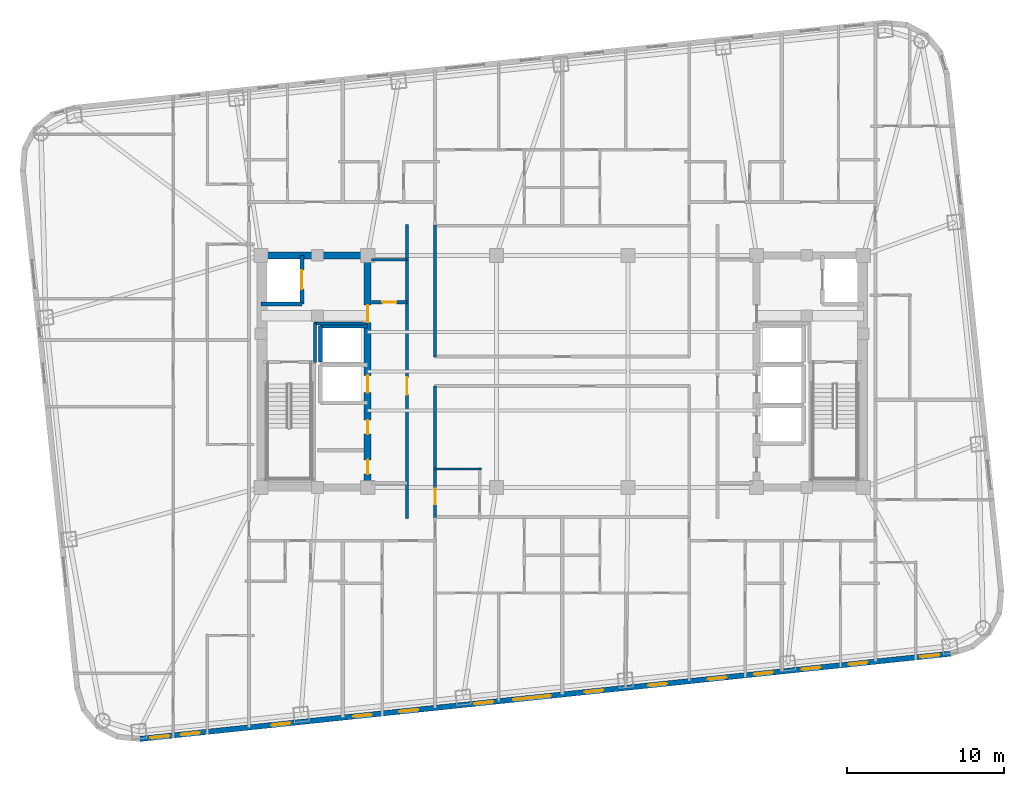
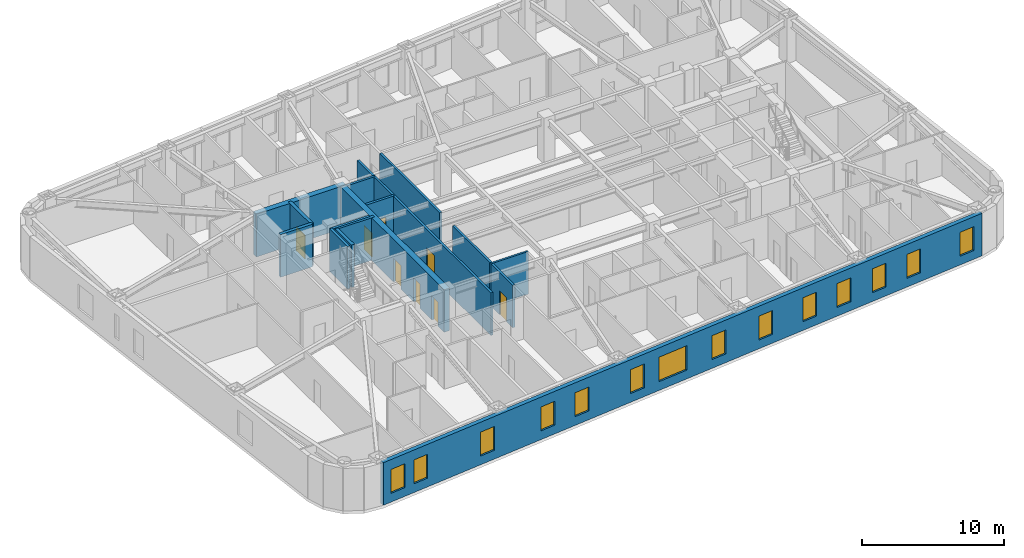
# One storey, part 4 of 11: 15 walls, 14 windows, 8 doors, 22 openings.
"""IFC4 building model written with IfcOpenShell, lengths in metres."""

import ifcopenshell
import ifcopenshell.guid

model = None  # the IFC model being written
_history = None  # IfcOwnerHistory: only IFC2X3 demands one
_inside = {}  # id of a spatial element -> (the spatial element, [elements in it])
_under = {}  # id of a project, library or spatial element -> (it, [spatial elements below it])
_declared = {}  # id of a project -> (the project, [libraries it declares])
_typed = {}  # id of a type object -> (the type object, [elements of that type])
_made_of = {}  # id of a material, layer set ... -> (it, [elements and type objects made of it])


def new_model(schema):
    """Start an empty IFC model of exactly this schema.

    Asked for "IFC4X3", IfcOpenShell would pick the latest addendum, in which some entities
    have other attributes; the version numbers below select the first issue.
    IFC2X3 requires an IfcOwnerHistory on every rooted entity: one is made here for all.
    """
    global model, _history
    if schema == "IFC4X3":
        model = ifcopenshell.file(schema_version=(4, 3, 0, 0))
    else:
        model = ifcopenshell.file(schema=schema)
    _inside.clear()
    _under.clear()
    _declared.clear()
    _typed.clear()
    _made_of.clear()
    _history = None
    if model.schema == "IFC2X3":
        org = make("IfcOrganization", Name="unknown")
        user = make(
            "IfcPersonAndOrganization",
            ThePerson=make("IfcPerson", FamilyName="unknown"),
            TheOrganization=org,
        )
        app = make(
            "IfcApplication",
            ApplicationDeveloper=org,
            Version="unknown",
            ApplicationFullName="unknown",
            ApplicationIdentifier="unknown",
        )
        _history = make(
            "IfcOwnerHistory",
            OwningUser=user,
            OwningApplication=app,
            ChangeAction="ADDED",
            CreationDate=0,
        )
    return model


def make(cls, **values):
    """One entity of the class cls with the attributes given. An attribute that is None is left unset."""
    return model.create_entity(
        cls, **{name: value for name, value in values.items() if value is not None}
    )


def rooted(cls, **values):
    """An entity with a GlobalId (a new one), such as an element, a storey or a relation."""
    return make(cls, GlobalId=ifcopenshell.guid.new(), OwnerHistory=_history, **values)


def si_unit(unit_type, name, prefix=None):
    """IfcSIUnit, for example si_unit("LENGTHUNIT", "METRE", prefix="MILLI")."""
    return make("IfcSIUnit", UnitType=unit_type, Prefix=prefix, Name=name)


def assignment(units):
    """IfcUnitAssignment: the units of a project."""
    return None if units is None else make("IfcUnitAssignment", Units=units)


def point(xyz):
    """IfcCartesianPoint."""
    return None if xyz is None else make("IfcCartesianPoint", Coordinates=xyz)


def direction(xyz):
    """IfcDirection."""
    return None if xyz is None else make("IfcDirection", DirectionRatios=xyz)


def frame(location, z_axis=None, x_axis=None):
    """IfcAxis2Placement3D, a coordinate frame: its origin and axes. An axis left out is left unset."""
    return make(
        "IfcAxis2Placement3D",
        Location=point(location),
        Axis=direction(z_axis),
        RefDirection=direction(x_axis),
    )


def frame_2d(location, x_axis=None):
    """IfcAxis2Placement2D, a coordinate frame in the plane: its origin and x axis."""
    return make(
        "IfcAxis2Placement2D", Location=point(location), RefDirection=direction(x_axis)
    )


def origin():
    """The frame at (0, 0, 0) with its axes left unset."""
    return frame((0.0, 0.0, 0.0))


def place(relative_to, where):
    """IfcLocalPlacement: puts the frame where relative to a parent placement (None: the world)."""
    return make(
        "IfcLocalPlacement", PlacementRelTo=relative_to, RelativePlacement=where
    )


def context(
    kind, dimensions, precision=None, world=None, true_north=None, identifier=None
):
    """IfcGeometricRepresentationContext, for example the 3D "Model" context."""
    return make(
        "IfcGeometricRepresentationContext",
        ContextIdentifier=identifier,
        ContextType=kind,
        CoordinateSpaceDimension=dimensions,
        Precision=precision,
        WorldCoordinateSystem=world,
        TrueNorth=true_north,
    )


def subcontext(parent, identifier, kind, view, scale=None):
    """IfcGeometricRepresentationSubContext, for example "Body" below "Model"."""
    return make(
        "IfcGeometricRepresentationSubContext",
        ContextIdentifier=identifier,
        ContextType=kind,
        ParentContext=parent,
        TargetScale=scale,
        TargetView=view,
    )


def project(units=None, contexts=None):
    """IfcProject with its units and contexts."""
    return rooted(
        "IfcProject",
        Name="project",
        RepresentationContexts=contexts,
        UnitsInContext=assignment(units),
    )


def spatial(cls, under=None, at=None, **own):
    """A site, building, storey or space (cls), placed at a placement, below another one or the project."""
    s = rooted(cls, ObjectPlacement=at, **own)
    if under is not None:
        _under.setdefault(under.id(), (under, []))[1].append(s)
    return s


def profile(cls, at=None, kind="AREA", **sizes):
    """A parametric profile (cls). Its sizes go by their IFC names, for example OverallWidth=200.0."""
    return make(cls, ProfileType=kind, Position=at, **sizes)


def rectangle(**sizes):
    """IfcRectangleProfileDef."""
    return profile("IfcRectangleProfileDef", **sizes)


def extrude(swept, where, along, depth):
    """IfcExtrudedAreaSolid: the profile swept, set in the frame where, extruded along a direction by depth."""
    return make(
        "IfcExtrudedAreaSolid",
        SweptArea=swept,
        Position=where,
        ExtrudedDirection=direction(along),
        Depth=depth,
    )


def shape(context_of_items, identifier, shape_type, items):
    """IfcShapeRepresentation: the items that make up one representation, for example the "Body"."""
    return make(
        "IfcShapeRepresentation",
        ContextOfItems=context_of_items,
        RepresentationIdentifier=identifier,
        RepresentationType=shape_type,
        Items=items,
    )


def material(Name=None, Category=None):
    """IfcMaterial."""
    return make("IfcMaterial", Name=Name, Category=Category)


def layer(
    of_material, thickness, ventilated=None, Name=None, Category=None, Priority=None
):
    """IfcMaterialLayer: one layer of a wall or slab, of a material (None: an air gap)."""
    return make(
        "IfcMaterialLayer",
        Material=of_material,
        LayerThickness=thickness,
        IsVentilated=ventilated,
        Name=Name,
        Category=Category,
        Priority=Priority,
    )


def layer_set(layers, Name=None):
    """IfcMaterialLayerSet."""
    return make("IfcMaterialLayerSet", MaterialLayers=layers, LayerSetName=Name)


def made_of(thing, what):
    """Note that an element or type object is made of a material, layer set ...; save() writes the relation."""
    if what is not None:
        _made_of.setdefault(what.id(), (what, []))[1].append(thing)
    return thing


def type_object(cls, material=None, **own):
    """A type object (cls), such as IfcWallType, which elements share."""
    return made_of(rooted(cls, **own), material)


def element(
    cls,
    number,
    at=None,
    inside=None,
    cuts=None,
    type_object=None,
    material=None,
    context=None,
    identifier="Body",
    shape_type=None,
    held_by="IfcProductDefinitionShape",
    body=None,
    shapes=None,
    **own,
):
    """One element of the class cls, such as IfcWall. Its Tag is "e" and its number.

    at: its placement. inside: the storey or other place that contains it. cuts: it is an
    opening in that element (IfcRelVoidsElement). A single representation is given by context,
    identifier, shape_type and body (its items); several are given by shapes. held_by: the class
    of the entity that holds the representations. save() writes the other relations.
    """
    e = rooted(cls, Tag="e%d" % number, ObjectPlacement=at, **own)
    if body is not None:
        shapes = [shape(context, identifier, shape_type, body)]
    if shapes is not None:
        e.Representation = make(held_by, Representations=shapes)
    if inside is not None:
        _inside.setdefault(inside.id(), (inside, []))[1].append(e)
    if cuts is not None:
        rooted(
            "IfcRelVoidsElement", RelatingBuildingElement=cuts, RelatedOpeningElement=e
        )
    if type_object is not None:
        _typed.setdefault(type_object.id(), (type_object, []))[1].append(e)
    return made_of(e, material)


def fill(opening, filler):
    """IfcRelFillsElement: the door or window that sits in an opening."""
    return rooted(
        "IfcRelFillsElement",
        RelatingOpeningElement=opening,
        RelatedBuildingElement=filler,
    )


def aggregate(whole, parts):
    """IfcRelAggregates: a whole, such as a stair, and the parts it consists of."""
    return rooted("IfcRelAggregates", RelatingObject=whole, RelatedObjects=parts)


def save(model, path):
    """Write the relations noted so far, then the file.

    IfcRelAggregates (storeys below a building ...), IfcRelContainedInSpatialStructure (elements
    in a storey), IfcRelDefinesByType, IfcRelAssociatesMaterial and IfcRelDeclares: one each for
    every whole, place, type object, material and project.
    """
    for whole, parts in _under.values():
        aggregate(whole, parts)
    for where, things in _inside.values():
        rooted(
            "IfcRelContainedInSpatialStructure",
            RelatedElements=things,
            RelatingStructure=where,
        )
    for kind, things in _typed.values():
        rooted("IfcRelDefinesByType", RelatedObjects=things, RelatingType=kind)
    for what, things in _made_of.values():
        rooted("IfcRelAssociatesMaterial", RelatedObjects=things, RelatingMaterial=what)
    for by, libraries in _declared.values():
        rooted("IfcRelDeclares", RelatingContext=by, RelatedDefinitions=libraries)
    model.write(path)


model = new_model("IFC4")

# Units and contexts
model_context = context("Model", 3, precision=1e-05, world=origin(), true_north=direction((0.0, 1.0)))
body_context = subcontext(model_context, "Body", "Model", "MODEL_VIEW")
ifc_project = project(units=[si_unit("LENGTHUNIT", "METRE"), si_unit("AREAUNIT", "SQUARE_METRE"), si_unit("VOLUMEUNIT", "CUBIC_METRE"), si_unit("PLANEANGLEUNIT", "RADIAN"), si_unit("MASSUNIT", "GRAM", prefix="KILO")], contexts=[model_context])

# Site, building, storey
site_placement = place(None, origin())
site = spatial("IfcSite", under=ifc_project, at=site_placement, CompositionType="ELEMENT")
building_placement = place(site_placement, origin())
building = spatial("IfcBuilding", under=site, at=building_placement, Name="Voryun Gate Residences", CompositionType="ELEMENT")
storey_placement = place(building_placement, frame((0.0, 0.0, 175.5)))
storey = spatial("IfcBuildingStorey", under=building, at=storey_placement, Name="L43", CompositionType="ELEMENT", Elevation=175.5)

# Wall
ifc_material_1 = material(Name="Concrete C50/60", Category="concrete")
ifc_layer_1 = layer(ifc_material_1, 0.449951171875, Name="CW_CORE_450")
ifc_layer_set_1 = layer_set([ifc_layer_1], Name="Concrete C50/60")
wall_type_1 = type_object("IfcWallType", Name="CW_CORE_450", PredefinedType="SHEAR", material=ifc_layer_set_1)
wall_1_placement = place(storey_placement, frame((-19.425048828125, 7.39990234375, 0.0), z_axis=(0.0, 0.0, 1.0), x_axis=(1.0, 0.0, 0.0)))
element("IfcWall", 1, at=wall_1_placement, inside=storey, type_object=wall_type_1, Name="L43 Core shear wall CW-L43-WN", PredefinedType="SHEAR", context=body_context, shape_type="SweptSolid", body=[
    extrude(rectangle(XDim=7.25, YDim=0.449951171875, at=frame_2d((3.625, 0.0))), origin(), (0.0, 0.0, 1.0), 3.64990234375),
])

# Wall, openings, doors
wall_2_placement = place(storey_placement, frame((-12.39990234375, -7.39990234375, 0.0), z_axis=(0.0, 0.0, 1.0), x_axis=(0.0, 1.0, 0.0)))
wall_2 = element("IfcWall", 2, at=wall_2_placement, inside=storey, type_object=wall_type_1, Name="L43 Core shear wall CW-L43-WE", PredefinedType="SHEAR", context=body_context, shape_type="SweptSolid", body=[
    extrude(rectangle(XDim=14.7998046875, YDim=0.449951171875, at=frame_2d((7.39990234375, 0.0))), origin(), (0.0, 0.0, 1.0), 3.64990234375),
])
opening_1_placement = place(wall_2_placement, frame((6.050048828125, 0.0, 0.0)))
opening_1 = element("IfcOpeningElement", 3, at=opening_1_placement, cuts=wall_2, Name="Opening LD2", PredefinedType="OPENING", context=body_context, shape_type="SweptSolid", body=[
    extrude(rectangle(XDim=1.10009765625, YDim=2.050048828125, at=frame_2d((0.550048828125, 1.02490234375))), frame((0.0, 0.235107421875, 0.0), z_axis=(0.0, -1.0, 0.0), x_axis=(1.0, 0.0, 0.0)), (0.0, 0.0, 1.0), 0.469970703125),
])
opening_2_placement = place(wall_2_placement, frame((10.530029296875, 0.0, 0.0)))
opening_2 = element("IfcOpeningElement", 4, at=opening_2_placement, cuts=wall_2, Name="Opening D-FD60-2", PredefinedType="OPENING", context=body_context, shape_type="SweptSolid", body=[
    extrude(rectangle(XDim=1.10009765625, YDim=2.050048828125, at=frame_2d((0.550048828125, 1.02490234375))), frame((0.0, 0.235107421875, 0.0), z_axis=(0.0, -1.0, 0.0), x_axis=(1.0, 0.0, 0.0)), (0.0, 0.0, 1.0), 0.469970703125),
])
opening_3_placement = place(wall_2_placement, frame((0.85009765625, 0.0, 0.0)))
opening_3 = element("IfcOpeningElement", 5, at=opening_3_placement, cuts=wall_2, Name="Opening D-FD60-4", PredefinedType="OPENING", context=body_context, shape_type="SweptSolid", body=[
    extrude(rectangle(XDim=0.89990234375, YDim=2.050048828125, at=frame_2d((0.449951171875, 1.02490234375))), frame((0.0, 0.235107421875, 0.0), z_axis=(0.0, -1.0, 0.0), x_axis=(1.0, 0.0, 0.0)), (0.0, 0.0, 1.0), 0.469970703125),
])
opening_4_placement = place(wall_2_placement, frame((3.39990234375, 0.0, 0.0)))
opening_4 = element("IfcOpeningElement", 6, at=opening_4_placement, cuts=wall_2, Name="Opening D-FD60-4", PredefinedType="OPENING", context=body_context, shape_type="SweptSolid", body=[
    extrude(rectangle(XDim=0.89990234375, YDim=2.050048828125, at=frame_2d((0.449951171875, 1.02490234375))), frame((0.0, 0.235107421875, 0.0), z_axis=(0.0, -1.0, 0.0), x_axis=(1.0, 0.0, 0.0)), (0.0, 0.0, 1.0), 0.469970703125),
])
ifc_material_2 = material(Name="Painted steel fire door", Category="steel")
door_type_1 = type_object("IfcDoorType", Name="DR_FD60_FFLOB_1100", OperationType="NOTDEFINED", PredefinedType="DOOR", material=ifc_material_2)
door_1_placement = place(opening_2_placement, origin())
door_1 = element("IfcDoor", 7, at=door_1_placement, inside=storey, type_object=door_type_1, Name="Door DR-L43-CLOB-W", OperationType="SINGLE_SWING_LEFT", OverallHeight=2.050048828125, OverallWidth=1.10009765625, PredefinedType="DOOR", context=body_context, shape_type="SweptSolid", body=[
    extrude(rectangle(XDim=1.10009765625, YDim=2.050048828125, at=frame_2d((0.550048828125, 1.02490234375))), frame((0.0, 0.02490234375, 0.0), z_axis=(0.0, -1.0, 0.0), x_axis=(1.0, 0.0, 0.0)), (0.0, 0.0, 1.0), 0.050048828125),
])
fill(opening_2, door_1)
ifc_material_3 = material(Name="Painted steel fire door", Category="steel")
door_type_2 = type_object("IfcDoorType", Name="DR_FD60_RISER_900", OperationType="NOTDEFINED", PredefinedType="DOOR", material=ifc_material_3)
door_2_placement = place(opening_3_placement, origin())
door_2 = element("IfcDoor", 8, at=door_2_placement, inside=storey, type_object=door_type_2, Name="Door DR-L43-RECWB1", OperationType="SINGLE_SWING_LEFT", OverallHeight=2.050048828125, OverallWidth=0.89990234375, PredefinedType="DOOR", context=body_context, shape_type="SweptSolid", body=[
    extrude(rectangle(XDim=0.89990234375, YDim=2.050048828125, at=frame_2d((0.449951171875, 1.02490234375))), frame((0.0, 0.02490234375, 0.0), z_axis=(0.0, -1.0, 0.0), x_axis=(1.0, 0.0, 0.0)), (0.0, 0.0, 1.0), 0.050048828125),
])
fill(opening_3, door_2)
door_3_placement = place(opening_4_placement, origin())
door_3 = element("IfcDoor", 9, at=door_3_placement, inside=storey, type_object=door_type_2, Name="Door DR-L43-RECWB2", OperationType="SINGLE_SWING_RIGHT", OverallHeight=2.050048828125, OverallWidth=0.89990234375, PredefinedType="DOOR", context=body_context, shape_type="SweptSolid", body=[
    extrude(rectangle(XDim=0.89990234375, YDim=2.050048828125, at=frame_2d((0.449951171875, 1.02490234375))), frame((0.0, 0.02490234375, 0.0), z_axis=(0.0, -1.0, 0.0), x_axis=(1.0, 0.0, 0.0)), (0.0, 0.0, 1.0), 0.050048828125),
])
fill(opening_4, door_3)
ifc_material_4 = material(Name="Anodised aluminium", Category="aluminium")
door_type_3 = type_object("IfcDoorType", Name="DR_LD_PASS_1100", OperationType="NOTDEFINED", PredefinedType="DOOR", material=ifc_material_4)
door_4_placement = place(opening_1_placement, origin())
door_4 = element("IfcDoor", 10, at=door_4_placement, inside=storey, type_object=door_type_3, Name="Lift EL-P4 sliding landing door L43", OperationType="SLIDING_TO_LEFT", OverallHeight=2.050048828125, OverallWidth=1.10009765625, PredefinedType="DOOR", context=body_context, shape_type="SweptSolid", body=[
    extrude(rectangle(XDim=1.10009765625, YDim=2.050048828125, at=frame_2d((0.550048828125, 1.02490234375))), frame((0.0, 0.02490234375, 0.0), z_axis=(0.0, -1.0, 0.0), x_axis=(1.0, 0.0, 0.0)), (0.0, 0.0, 1.0), 0.050048828125),
])
fill(opening_1, door_4)

# Wall
ifc_material_5 = material(Name="Gypsum acoustic fireboard")
ifc_layer_2 = layer(ifc_material_5, 0.179931640625, Name="W_CORR_RATED_180")
ifc_layer_set_2 = layer_set([ifc_layer_2], Name="Gypsum acoustic fireboard")
wall_type_2 = type_object("IfcWallType", Name="W_CORR_RATED_180", PredefinedType="PARTITIONING", material=ifc_layer_set_2)
wall_3_placement = place(storey_placement, frame((-12.14990234375, 7.1201171875, 0.0), z_axis=(0.0, 0.0, 1.0), x_axis=(1.0, 0.0, 0.0)))
element("IfcWall", 11, at=wall_3_placement, inside=storey, type_object=wall_type_2, Name="Partition wall WP-L43-PLBN-W", PredefinedType="PARTITIONING", context=body_context, shape_type="SweptSolid", body=[
    extrude(rectangle(XDim=2.27001953125, YDim=0.179931640625, at=frame_2d((1.135009765625, 0.0))), origin(), (0.0, 0.0, 1.0), 3.64990234375),
])

# Wall, opening, door
wall_4_placement = place(storey_placement, frame((-9.89990234375, -9.3798828125, 0.0), z_axis=(0.0, 0.0, 1.0), x_axis=(0.0, 1.0, 0.0)))
wall_4 = element("IfcWall", 12, at=wall_4_placement, inside=storey, type_object=wall_type_2, Name="Partition wall WP-L43-PLBW-FULL", PredefinedType="PARTITIONING", context=body_context, shape_type="SweptSolid", body=[
    extrude(rectangle(XDim=18.759765625, YDim=0.179931640625, at=frame_2d((9.3798828125, 0.0))), origin(), (0.0, 0.0, 1.0), 3.64990234375),
])
opening_5_placement = place(wall_4_placement, frame((7.89208984375, 0.0, 0.0)))
opening_5 = element("IfcOpeningElement", 13, at=opening_5_placement, cuts=wall_4, Name="Opening D-FD60-2", PredefinedType="OPENING", context=body_context, shape_type="SweptSolid", body=[
    extrude(rectangle(XDim=1.10009765625, YDim=2.050048828125, at=frame_2d((0.550048828125, 1.02490234375))), frame((0.0, 0.099853515625, 0.0), z_axis=(0.0, -1.0, 0.0), x_axis=(1.0, 0.0, 0.0)), (0.0, 0.0, 1.0), 0.199951171875),
])
door_5_placement = place(opening_5_placement, origin())
door_5 = element("IfcDoor", 14, at=door_5_placement, inside=storey, type_object=door_type_1, Name="Door DR-L43-PLBW-COR", OperationType="SINGLE_SWING_LEFT", OverallHeight=2.050048828125, OverallWidth=1.10009765625, PredefinedType="DOOR", context=body_context, shape_type="SweptSolid", body=[
    extrude(rectangle(XDim=1.10009765625, YDim=2.050048828125, at=frame_2d((0.550048828125, 1.02490234375))), frame((0.0, 0.02490234375, 0.0), z_axis=(0.0, -1.0, 0.0), x_axis=(1.0, 0.0, 0.0)), (0.0, 0.0, 1.0), 0.050048828125),
])
fill(opening_5, door_5)

# Wall
wall_5_placement = place(storey_placement, frame((-8.10009765625, 0.919921875, 0.0), z_axis=(0.0, 0.0, 1.0), x_axis=(0.0, 1.0, 0.0)))
element("IfcWall", 15, at=wall_5_placement, inside=storey, type_object=wall_type_2, Name="Partition wall WP-L43-Z2WL1", PredefinedType="PARTITIONING", context=body_context, shape_type="SweptSolid", body=[
    extrude(rectangle(XDim=8.41015625, YDim=0.179931640625, at=frame_2d((4.205078125, 0.0))), origin(), (0.0, 0.0, 1.0), 3.64990234375),
])

# Wall, opening, door
wall_6_placement = place(storey_placement, frame((-8.10009765625, -9.330078125, 0.0), z_axis=(0.0, 0.0, 1.0), x_axis=(0.0, 1.0, 0.0)))
wall_6 = element("IfcWall", 16, at=wall_6_placement, inside=storey, type_object=wall_type_2, Name="Partition wall WP-L43-Z2WL2", PredefinedType="PARTITIONING", context=body_context, shape_type="SweptSolid", body=[
    extrude(rectangle(XDim=8.41015625, YDim=0.179931640625, at=frame_2d((4.205078125, 0.0))), origin(), (0.0, 0.0, 1.0), 3.64990234375),
])
opening_6_placement = place(wall_6_placement, frame((0.845703125, 0.0, 0.0)))
opening_6 = element("IfcOpeningElement", 17, at=opening_6_placement, cuts=wall_6, Name="Opening D-AWC-1", PredefinedType="OPENING", context=body_context, shape_type="SweptSolid", body=[
    extrude(rectangle(XDim=1.0, YDim=2.050048828125, at=frame_2d((0.5, 1.02490234375))), frame((0.0, 0.099853515625, 0.0), z_axis=(0.0, -1.0, 0.0), x_axis=(1.0, 0.0, 0.0)), (0.0, 0.0, 1.0), 0.199951171875),
])
ifc_material_6 = material(Name="Architectural oak veneer")
door_type_4 = type_object("IfcDoorType", Name="DR_ACC_WC_1000", OperationType="NOTDEFINED", PredefinedType="DOOR", material=ifc_material_6)
door_6_placement = place(opening_6_placement, origin())
door_6 = element("IfcDoor", 18, at=door_6_placement, inside=storey, type_object=door_type_4, Name="Door DR-L43-CMWC-D", OperationType="SINGLE_SWING_LEFT", OverallHeight=2.050048828125, OverallWidth=1.0, PredefinedType="DOOR", context=body_context, shape_type="SweptSolid", body=[
    extrude(rectangle(XDim=1.0, YDim=2.050048828125, at=frame_2d((0.5, 1.02490234375))), frame((0.0, 0.02490234375, 0.0), z_axis=(0.0, -1.0, 0.0), x_axis=(1.0, 0.0, 0.0)), (0.0, 0.0, 1.0), 0.050048828125),
])
fill(opening_6, door_6)

# Wall, openings, windows
ifc_material_7 = material(Name="Charcoal terracotta masonry", Category="masonry")
ifc_layer_3 = layer(ifc_material_7, 0.340087890625, Name="W_EXT_TERRACOTTA_340")
ifc_layer_set_3 = layer_set([ifc_layer_3], Name="Charcoal terracotta masonry")
wall_type_3 = type_object("IfcWallType", Name="W_EXT_TERRACOTTA_340", PredefinedType="ELEMENTEDWALL", material=ifc_layer_set_3)
wall_7_placement = place(storey_placement, frame((24.755615234375, -18.003173828125, 0.0), z_axis=(0.0, 0.0, 1.0), x_axis=(-0.99452160744, -0.104531202687, 0.0)))
wall_7 = element("IfcWall", 19, at=wall_7_placement, inside=storey, type_object=wall_type_3, Name="Exterior wall WEXT-L43-01", PredefinedType="ELEMENTEDWALL", context=body_context, shape_type="SweptSolid", body=[
    extrude(rectangle(XDim=51.966552734375, YDim=0.340087890625, at=frame_2d((25.9833984375, 0.0))), origin(), (0.0, 0.0, 1.0), 3.64990234375),
])
opening_7_placement = place(wall_7_placement, frame((25.63330078125, 0.0, 0.75)))
opening_7 = element("IfcOpeningElement", 20, at=opening_7_placement, cuts=wall_7, Name="Opening WN2", PredefinedType="OPENING", context=body_context, shape_type="SweptSolid", body=[
    extrude(rectangle(XDim=2.39990234375, YDim=2.10009765625, at=frame_2d((1.199951171875, 1.050048828125))), frame((0.0, 0.179931640625, 0.0), z_axis=(0.0, -1.0, 0.0), x_axis=(1.0, 0.0, 0.0)), (0.0, 0.0, 1.0), 0.360107421875),
])
opening_8_placement = place(wall_7_placement, frame((42.318115234375, 0.0, 0.75)))
opening_8 = element("IfcOpeningElement", 21, at=opening_8_placement, cuts=wall_7, Name="Opening WN6", PredefinedType="OPENING", context=body_context, shape_type="SweptSolid", body=[
    extrude(rectangle(XDim=1.199951171875, YDim=2.050048828125, at=frame_2d((0.60009765625, 1.02490234375))), frame((0.0, 0.179931640625, 0.0), z_axis=(0.0, -1.0, 0.0), x_axis=(1.0, 0.0, 0.0)), (0.0, 0.0, 1.0), 0.360107421875),
])
opening_9_placement = place(wall_7_placement, frame((34.120849609375, 0.0, 0.75)))
opening_9 = element("IfcOpeningElement", 22, at=opening_9_placement, cuts=wall_7, Name="Opening WN6", PredefinedType="OPENING", context=body_context, shape_type="SweptSolid", body=[
    extrude(rectangle(XDim=1.199951171875, YDim=2.050048828125, at=frame_2d((0.60009765625, 1.02490234375))), frame((0.0, 0.179931640625, 0.0), z_axis=(0.0, -1.0, 0.0), x_axis=(1.0, 0.0, 0.0)), (0.0, 0.0, 1.0), 0.360107421875),
])
opening_10_placement = place(wall_7_placement, frame((37.09228515625, 0.0, 0.75)))
opening_10 = element("IfcOpeningElement", 23, at=opening_10_placement, cuts=wall_7, Name="Opening WN6", PredefinedType="OPENING", context=body_context, shape_type="SweptSolid", body=[
    extrude(rectangle(XDim=1.199951171875, YDim=2.050048828125, at=frame_2d((0.60009765625, 1.02490234375))), frame((0.0, 0.179931640625, 0.0), z_axis=(0.0, -1.0, 0.0), x_axis=(1.0, 0.0, 0.0)), (0.0, 0.0, 1.0), 0.360107421875),
])
opening_11_placement = place(wall_7_placement, frame((14.359130859375, 0.0, 0.75)))
opening_11 = element("IfcOpeningElement", 24, at=opening_11_placement, cuts=wall_7, Name="Opening WN6", PredefinedType="OPENING", context=body_context, shape_type="SweptSolid", body=[
    extrude(rectangle(XDim=1.199951171875, YDim=2.050048828125, at=frame_2d((0.60009765625, 1.02490234375))), frame((0.0, 0.179931640625, 0.0), z_axis=(0.0, -1.0, 0.0), x_axis=(1.0, 0.0, 0.0)), (0.0, 0.0, 1.0), 0.360107421875),
])
opening_12_placement = place(wall_7_placement, frame((11.387939453125, 0.0, 0.75)))
opening_12 = element("IfcOpeningElement", 25, at=opening_12_placement, cuts=wall_7, Name="Opening WN6", PredefinedType="OPENING", context=body_context, shape_type="SweptSolid", body=[
    extrude(rectangle(XDim=1.199951171875, YDim=2.050048828125, at=frame_2d((0.60009765625, 1.02490234375))), frame((0.0, 0.179931640625, 0.0), z_axis=(0.0, -1.0, 0.0), x_axis=(1.0, 0.0, 0.0)), (0.0, 0.0, 1.0), 0.360107421875),
])
opening_13_placement = place(wall_7_placement, frame((8.33203125, 0.0, 0.75)))
opening_13 = element("IfcOpeningElement", 26, at=opening_13_placement, cuts=wall_7, Name="Opening WN6", PredefinedType="OPENING", context=body_context, shape_type="SweptSolid", body=[
    extrude(rectangle(XDim=1.199951171875, YDim=2.050048828125, at=frame_2d((0.60009765625, 1.02490234375))), frame((0.0, 0.179931640625, 0.0), z_axis=(0.0, -1.0, 0.0), x_axis=(1.0, 0.0, 0.0)), (0.0, 0.0, 1.0), 0.360107421875),
])
opening_14_placement = place(wall_7_placement, frame((5.330810546875, 0.0, 0.75)))
opening_14 = element("IfcOpeningElement", 27, at=opening_14_placement, cuts=wall_7, Name="Opening WN6", PredefinedType="OPENING", context=body_context, shape_type="SweptSolid", body=[
    extrude(rectangle(XDim=1.199951171875, YDim=2.050048828125, at=frame_2d((0.60009765625, 1.02490234375))), frame((0.0, 0.179931640625, 0.0), z_axis=(0.0, -1.0, 0.0), x_axis=(1.0, 0.0, 0.0)), (0.0, 0.0, 1.0), 0.360107421875),
])
opening_15_placement = place(wall_7_placement, frame((29.31298828125, 0.0, 0.75)))
opening_15 = element("IfcOpeningElement", 28, at=opening_15_placement, cuts=wall_7, Name="Opening WN6", PredefinedType="OPENING", context=body_context, shape_type="SweptSolid", body=[
    extrude(rectangle(XDim=1.199951171875, YDim=2.050048828125, at=frame_2d((0.60009765625, 1.02490234375))), frame((0.0, 0.179931640625, 0.0), z_axis=(0.0, -1.0, 0.0), x_axis=(1.0, 0.0, 0.0)), (0.0, 0.0, 1.0), 0.360107421875),
])
opening_16_placement = place(wall_7_placement, frame((22.248291015625, 0.0, 0.75)))
opening_16 = element("IfcOpeningElement", 29, at=opening_16_placement, cuts=wall_7, Name="Opening WN6", PredefinedType="OPENING", context=body_context, shape_type="SweptSolid", body=[
    extrude(rectangle(XDim=1.199951171875, YDim=2.050048828125, at=frame_2d((0.60009765625, 1.02490234375))), frame((0.0, 0.179931640625, 0.0), z_axis=(0.0, -1.0, 0.0), x_axis=(1.0, 0.0, 0.0)), (0.0, 0.0, 1.0), 0.360107421875),
])
opening_17_placement = place(wall_7_placement, frame((18.18603515625, 0.0, 0.75)))
opening_17 = element("IfcOpeningElement", 30, at=opening_17_placement, cuts=wall_7, Name="Opening WN6", PredefinedType="OPENING", context=body_context, shape_type="SweptSolid", body=[
    extrude(rectangle(XDim=1.199951171875, YDim=2.050048828125, at=frame_2d((0.60009765625, 1.02490234375))), frame((0.0, 0.179931640625, 0.0), z_axis=(0.0, -1.0, 0.0), x_axis=(1.0, 0.0, 0.0)), (0.0, 0.0, 1.0), 0.360107421875),
])
opening_18_placement = place(wall_7_placement, frame((48.130126953125, 0.0, 0.75)))
opening_18 = element("IfcOpeningElement", 31, at=opening_18_placement, cuts=wall_7, Name="Opening WN6", PredefinedType="OPENING", context=body_context, shape_type="SweptSolid", body=[
    extrude(rectangle(XDim=1.199951171875, YDim=2.050048828125, at=frame_2d((0.60009765625, 1.02490234375))), frame((0.0, 0.179931640625, 0.0), z_axis=(0.0, -1.0, 0.0), x_axis=(1.0, 0.0, 0.0)), (0.0, 0.0, 1.0), 0.360107421875),
])
opening_19_placement = place(wall_7_placement, frame((50.090087890625, 0.0, 0.75)))
opening_19 = element("IfcOpeningElement", 32, at=opening_19_placement, cuts=wall_7, Name="Opening WN6", PredefinedType="OPENING", context=body_context, shape_type="SweptSolid", body=[
    extrude(rectangle(XDim=1.199951171875, YDim=2.050048828125, at=frame_2d((0.60009765625, 1.02490234375))), frame((0.0, 0.179931640625, 0.0), z_axis=(0.0, -1.0, 0.0), x_axis=(1.0, 0.0, 0.0)), (0.0, 0.0, 1.0), 0.360107421875),
])
opening_20_placement = place(wall_7_placement, frame((0.718017578125, 0.0, 0.75)))
opening_20 = element("IfcOpeningElement", 33, at=opening_20_placement, cuts=wall_7, Name="Opening WN6", PredefinedType="OPENING", context=body_context, shape_type="SweptSolid", body=[
    extrude(rectangle(XDim=1.199951171875, YDim=2.050048828125, at=frame_2d((0.60009765625, 1.02490234375))), frame((0.0, 0.179931640625, 0.0), z_axis=(0.0, -1.0, 0.0), x_axis=(1.0, 0.0, 0.0)), (0.0, 0.0, 1.0), 0.360107421875),
])
ifc_material_8 = material(Name="Laminated low-E glass", Category="glass")
window_type_1 = type_object("IfcWindowType", Name="WN_POD_SLOT_1200", PartitioningType="SINGLE_PANEL", PredefinedType="WINDOW", material=ifc_material_8)
window_1_placement = place(opening_8_placement, origin())
window_1 = element("IfcWindow", 34, at=window_1_placement, inside=storey, type_object=window_type_1, Name="Window WN-L43-DWFIX-10", OverallHeight=2.050048828125, OverallWidth=1.199951171875, PartitioningType="SINGLE_PANEL", PredefinedType="WINDOW", context=body_context, shape_type="SweptSolid", body=[
    extrude(rectangle(XDim=1.199951171875, YDim=2.050048828125, at=frame_2d((0.60009765625, 1.02490234375))), frame((0.0, 0.030029296875, 0.0), z_axis=(0.0, -1.0, 0.0), x_axis=(1.0, 0.0, 0.0)), (0.0, 0.0, 1.0), 0.06005859375),
])
fill(opening_8, window_1)
window_2_placement = place(opening_9_placement, origin())
window_2 = element("IfcWindow", 35, at=window_2_placement, inside=storey, type_object=window_type_1, Name="Window WN-L43-DWFIX-11", OverallHeight=2.050048828125, OverallWidth=1.199951171875, PartitioningType="SINGLE_PANEL", PredefinedType="WINDOW", context=body_context, shape_type="SweptSolid", body=[
    extrude(rectangle(XDim=1.199951171875, YDim=2.050048828125, at=frame_2d((0.60009765625, 1.02490234375))), frame((0.0, 0.030029296875, 0.0), z_axis=(0.0, -1.0, 0.0), x_axis=(1.0, 0.0, 0.0)), (0.0, 0.0, 1.0), 0.06005859375),
])
fill(opening_9, window_2)
window_3_placement = place(opening_10_placement, origin())
window_3 = element("IfcWindow", 36, at=window_3_placement, inside=storey, type_object=window_type_1, Name="Window WN-L43-DWFIX-12", OverallHeight=2.050048828125, OverallWidth=1.199951171875, PartitioningType="SINGLE_PANEL", PredefinedType="WINDOW", context=body_context, shape_type="SweptSolid", body=[
    extrude(rectangle(XDim=1.199951171875, YDim=2.050048828125, at=frame_2d((0.60009765625, 1.02490234375))), frame((0.0, 0.030029296875, 0.0), z_axis=(0.0, -1.0, 0.0), x_axis=(1.0, 0.0, 0.0)), (0.0, 0.0, 1.0), 0.06005859375),
])
fill(opening_10, window_3)
window_4_placement = place(opening_11_placement, origin())
window_4 = element("IfcWindow", 37, at=window_4_placement, inside=storey, type_object=window_type_1, Name="Window WN-L43-DWFIX-13", OverallHeight=2.050048828125, OverallWidth=1.199951171875, PartitioningType="SINGLE_PANEL", PredefinedType="WINDOW", context=body_context, shape_type="SweptSolid", body=[
    extrude(rectangle(XDim=1.199951171875, YDim=2.050048828125, at=frame_2d((0.60009765625, 1.02490234375))), frame((0.0, 0.030029296875, 0.0), z_axis=(0.0, -1.0, 0.0), x_axis=(1.0, 0.0, 0.0)), (0.0, 0.0, 1.0), 0.06005859375),
])
fill(opening_11, window_4)
window_5_placement = place(opening_12_placement, origin())
window_5 = element("IfcWindow", 38, at=window_5_placement, inside=storey, type_object=window_type_1, Name="Window WN-L43-DWFIX-14", OverallHeight=2.050048828125, OverallWidth=1.199951171875, PartitioningType="SINGLE_PANEL", PredefinedType="WINDOW", context=body_context, shape_type="SweptSolid", body=[
    extrude(rectangle(XDim=1.199951171875, YDim=2.050048828125, at=frame_2d((0.60009765625, 1.02490234375))), frame((0.0, 0.030029296875, 0.0), z_axis=(0.0, -1.0, 0.0), x_axis=(1.0, 0.0, 0.0)), (0.0, 0.0, 1.0), 0.06005859375),
])
fill(opening_12, window_5)
window_6_placement = place(opening_13_placement, origin())
window_6 = element("IfcWindow", 39, at=window_6_placement, inside=storey, type_object=window_type_1, Name="Window WN-L43-DWFIX-15", OverallHeight=2.050048828125, OverallWidth=1.199951171875, PartitioningType="SINGLE_PANEL", PredefinedType="WINDOW", context=body_context, shape_type="SweptSolid", body=[
    extrude(rectangle(XDim=1.199951171875, YDim=2.050048828125, at=frame_2d((0.60009765625, 1.02490234375))), frame((0.0, 0.030029296875, 0.0), z_axis=(0.0, -1.0, 0.0), x_axis=(1.0, 0.0, 0.0)), (0.0, 0.0, 1.0), 0.06005859375),
])
fill(opening_13, window_6)
window_7_placement = place(opening_14_placement, origin())
window_7 = element("IfcWindow", 40, at=window_7_placement, inside=storey, type_object=window_type_1, Name="Window WN-L43-DWFIX-16", OverallHeight=2.050048828125, OverallWidth=1.199951171875, PartitioningType="SINGLE_PANEL", PredefinedType="WINDOW", context=body_context, shape_type="SweptSolid", body=[
    extrude(rectangle(XDim=1.199951171875, YDim=2.050048828125, at=frame_2d((0.60009765625, 1.02490234375))), frame((0.0, 0.030029296875, 0.0), z_axis=(0.0, -1.0, 0.0), x_axis=(1.0, 0.0, 0.0)), (0.0, 0.0, 1.0), 0.06005859375),
])
fill(opening_14, window_7)
window_8_placement = place(opening_15_placement, origin())
window_8 = element("IfcWindow", 41, at=window_8_placement, inside=storey, type_object=window_type_1, Name="Window WN-L43-DWFIX-17", OverallHeight=2.050048828125, OverallWidth=1.199951171875, PartitioningType="SINGLE_PANEL", PredefinedType="WINDOW", context=body_context, shape_type="SweptSolid", body=[
    extrude(rectangle(XDim=1.199951171875, YDim=2.050048828125, at=frame_2d((0.60009765625, 1.02490234375))), frame((0.0, 0.030029296875, 0.0), z_axis=(0.0, -1.0, 0.0), x_axis=(1.0, 0.0, 0.0)), (0.0, 0.0, 1.0), 0.06005859375),
])
fill(opening_15, window_8)
window_9_placement = place(opening_16_placement, origin())
window_9 = element("IfcWindow", 42, at=window_9_placement, inside=storey, type_object=window_type_1, Name="Window WN-L43-DWFIX-18", OverallHeight=2.050048828125, OverallWidth=1.199951171875, PartitioningType="SINGLE_PANEL", PredefinedType="WINDOW", context=body_context, shape_type="SweptSolid", body=[
    extrude(rectangle(XDim=1.199951171875, YDim=2.050048828125, at=frame_2d((0.60009765625, 1.02490234375))), frame((0.0, 0.030029296875, 0.0), z_axis=(0.0, -1.0, 0.0), x_axis=(1.0, 0.0, 0.0)), (0.0, 0.0, 1.0), 0.06005859375),
])
fill(opening_16, window_9)
window_10_placement = place(opening_17_placement, origin())
window_10 = element("IfcWindow", 43, at=window_10_placement, inside=storey, type_object=window_type_1, Name="Window WN-L43-DWFIX-19", OverallHeight=2.050048828125, OverallWidth=1.199951171875, PartitioningType="SINGLE_PANEL", PredefinedType="WINDOW", context=body_context, shape_type="SweptSolid", body=[
    extrude(rectangle(XDim=1.199951171875, YDim=2.050048828125, at=frame_2d((0.60009765625, 1.02490234375))), frame((0.0, 0.030029296875, 0.0), z_axis=(0.0, -1.0, 0.0), x_axis=(1.0, 0.0, 0.0)), (0.0, 0.0, 1.0), 0.06005859375),
])
fill(opening_17, window_10)
window_11_placement = place(opening_18_placement, origin())
window_11 = element("IfcWindow", 44, at=window_11_placement, inside=storey, type_object=window_type_1, Name="Window WN-L43-DWFIX-20", OverallHeight=2.050048828125, OverallWidth=1.199951171875, PartitioningType="SINGLE_PANEL", PredefinedType="WINDOW", context=body_context, shape_type="SweptSolid", body=[
    extrude(rectangle(XDim=1.199951171875, YDim=2.050048828125, at=frame_2d((0.60009765625, 1.02490234375))), frame((0.0, 0.030029296875, 0.0), z_axis=(0.0, -1.0, 0.0), x_axis=(1.0, 0.0, 0.0)), (0.0, 0.0, 1.0), 0.06005859375),
])
fill(opening_18, window_11)
window_12_placement = place(opening_19_placement, origin())
window_12 = element("IfcWindow", 45, at=window_12_placement, inside=storey, type_object=window_type_1, Name="Window WN-L43-DWFIX-22", OverallHeight=2.050048828125, OverallWidth=1.199951171875, PartitioningType="SINGLE_PANEL", PredefinedType="WINDOW", context=body_context, shape_type="SweptSolid", body=[
    extrude(rectangle(XDim=1.199951171875, YDim=2.050048828125, at=frame_2d((0.60009765625, 1.02490234375))), frame((0.0, 0.030029296875, 0.0), z_axis=(0.0, -1.0, 0.0), x_axis=(1.0, 0.0, 0.0)), (0.0, 0.0, 1.0), 0.06005859375),
])
fill(opening_19, window_12)
window_13_placement = place(opening_20_placement, origin())
window_13 = element("IfcWindow", 46, at=window_13_placement, inside=storey, type_object=window_type_1, Name="Window WN-L43-DWFIX-26", OverallHeight=2.050048828125, OverallWidth=1.199951171875, PartitioningType="SINGLE_PANEL", PredefinedType="WINDOW", context=body_context, shape_type="SweptSolid", body=[
    extrude(rectangle(XDim=1.199951171875, YDim=2.050048828125, at=frame_2d((0.60009765625, 1.02490234375))), frame((0.0, 0.030029296875, 0.0), z_axis=(0.0, -1.0, 0.0), x_axis=(1.0, 0.0, 0.0)), (0.0, 0.0, 1.0), 0.06005859375),
])
fill(opening_20, window_13)
ifc_material_9 = material(Name="Laminated low-E glass", Category="glass")
window_type_2 = type_object("IfcWindowType", Name="WN_RES_WIDE_2400", PartitioningType="SINGLE_PANEL", PredefinedType="WINDOW", material=ifc_material_9)
window_14_placement = place(opening_7_placement, origin())
window_14 = element("IfcWindow", 47, at=window_14_placement, inside=storey, type_object=window_type_2, Name="Window WN-WEXT-L43-01-02", OverallHeight=2.10009765625, OverallWidth=2.39990234375, PartitioningType="SINGLE_PANEL", PredefinedType="WINDOW", context=body_context, shape_type="SweptSolid", body=[
    extrude(rectangle(XDim=2.39990234375, YDim=2.10009765625, at=frame_2d((1.199951171875, 1.050048828125))), frame((0.0, 0.030029296875, 0.0), z_axis=(0.0, -1.0, 0.0), x_axis=(1.0, 0.0, 0.0)), (0.0, 0.0, 1.0), 0.06005859375),
])
fill(opening_7, window_14)

# Walls
ifc_material_10 = material(Name="Concrete C40/50", Category="concrete")
ifc_layer_4 = layer(ifc_material_10, 0.199951171875, Name="W_FF_LOBBY_200")
ifc_layer_set_4 = layer_set([ifc_layer_4], Name="Concrete C40/50")
wall_type_4 = type_object("IfcWallType", Name="W_FF_LOBBY_200", PredefinedType="PARTITIONING", material=ifc_layer_set_4)
wall_8_placement = place(storey_placement, frame((-15.760009765625, 0.580078125, 0.0), z_axis=(0.0, 0.0, 1.0), x_axis=(0.0, 1.0, 0.0)))
element("IfcWall", 48, at=wall_8_placement, inside=storey, type_object=wall_type_4, Name="Partition wall WP-L43-FFP0-W", PredefinedType="PARTITIONING", context=body_context, shape_type="SweptSolid", body=[
    extrude(rectangle(XDim=2.52001953125, YDim=0.199951171875, at=frame_2d((1.260009765625, 0.0))), origin(), (0.0, 0.0, 1.0), 3.64990234375),
])
wall_9_placement = place(storey_placement, frame((-15.820068359375, 3.06005859375, 0.0), z_axis=(0.0, 0.0, 1.0), x_axis=(1.0, 0.0, 0.0)))
element("IfcWall", 49, at=wall_9_placement, inside=storey, type_object=wall_type_4, Name="Partition wall WP-L43-FFPS-W", PredefinedType="PARTITIONING", context=body_context, shape_type="SweptSolid", body=[
    extrude(rectangle(XDim=3.16015625, YDim=0.199951171875, at=frame_2d((1.580078125, 0.0))), origin(), (0.0, 0.0, 1.0), 3.64990234375),
])

# Wall, opening, door
wall_10_placement = place(storey_placement, frame((-12.14990234375, 4.409912109375, 0.0), z_axis=(0.0, 0.0, 1.0), x_axis=(1.0, 0.0, 0.0)))
wall_10 = element("IfcWall", 50, at=wall_10_placement, inside=storey, type_object=wall_type_4, Name="Partition wall WP-L43-CSFLKS-W", PredefinedType="PARTITIONING", context=body_context, shape_type="SweptSolid", body=[
    extrude(rectangle(XDim=2.27001953125, YDim=0.199951171875, at=frame_2d((1.135009765625, 0.0))), origin(), (0.0, 0.0, 1.0), 3.64990234375),
])
opening_21_placement = place(wall_10_placement, frame((0.68505859375, 0.0, 0.0)))
opening_21 = element("IfcOpeningElement", 51, at=opening_21_placement, cuts=wall_10, Name="Opening D-FD60-4", PredefinedType="OPENING", context=body_context, shape_type="SweptSolid", body=[
    extrude(rectangle(XDim=0.89990234375, YDim=2.050048828125, at=frame_2d((0.449951171875, 1.02490234375))), frame((0.0, 0.110107421875, 0.0), z_axis=(0.0, -1.0, 0.0), x_axis=(1.0, 0.0, 0.0)), (0.0, 0.0, 1.0), 0.219970703125),
])
door_7_placement = place(opening_21_placement, origin())
door_7 = element("IfcDoor", 52, at=door_7_placement, inside=storey, type_object=door_type_2, Name="Door DR-L43-CSFLK-W", OperationType="SINGLE_SWING_LEFT", OverallHeight=2.050048828125, OverallWidth=0.89990234375, PredefinedType="DOOR", context=body_context, shape_type="SweptSolid", body=[
    extrude(rectangle(XDim=0.89990234375, YDim=2.050048828125, at=frame_2d((0.449951171875, 1.02490234375))), frame((0.0, 0.02490234375, 0.0), z_axis=(0.0, -1.0, 0.0), x_axis=(1.0, 0.0, 0.0)), (0.0, 0.0, 1.0), 0.050048828125),
])
fill(opening_21, door_7)

# Wall
ifc_material_11 = material(Name="Concrete C50/60", Category="concrete")
ifc_layer_5 = layer(ifc_material_11, 0.25, Name="W_SHAFT_RC250")
ifc_layer_set_5 = layer_set([ifc_layer_5], Name="Concrete C50/60")
wall_type_5 = type_object("IfcWallType", Name="W_SHAFT_RC250", PredefinedType="SOLIDWALL", material=ifc_layer_set_5)
wall_11_placement = place(storey_placement, frame((-19.199951171875, 4.300048828125, 0.0), z_axis=(0.0, 0.0, 1.0), x_axis=(1.0, 0.0, 0.0)))
element("IfcWall", 53, at=wall_11_placement, inside=storey, type_object=wall_type_5, Name="Lift shaft wall WSH-L43-EL-FF-W1-S", PredefinedType="SOLIDWALL", context=body_context, shape_type="SweptSolid", body=[
    extrude(rectangle(XDim=2.599853515625, YDim=0.25, at=frame_2d((1.2998046875, 0.0))), origin(), (0.0, 0.0, 1.0), 3.64990234375),
])

# Wall, opening, door
wall_12_placement = place(storey_placement, frame((-16.60009765625, 4.300048828125, 0.0), z_axis=(0.0, 0.0, 1.0), x_axis=(0.0, 1.0, 0.0)))
wall_12 = element("IfcWall", 54, at=wall_12_placement, inside=storey, type_object=wall_type_5, Name="Lift shaft wall WSH-L43-EL-FF-W1-E", PredefinedType="SOLIDWALL", context=body_context, shape_type="SweptSolid", body=[
    extrude(rectangle(XDim=3.099853515625, YDim=0.25, at=frame_2d((1.5498046875, 0.0))), origin(), (0.0, 0.0, 1.0), 3.64990234375),
])
opening_22_placement = place(wall_12_placement, frame((0.949951171875, 0.0, 0.0)))
opening_22 = element("IfcOpeningElement", 55, at=opening_22_placement, cuts=wall_12, Name="Opening LD1", PredefinedType="OPENING", context=body_context, shape_type="SweptSolid", body=[
    extrude(rectangle(XDim=1.199951171875, YDim=2.050048828125, at=frame_2d((0.60009765625, 1.02490234375))), frame((0.0, 0.135009765625, 0.0), z_axis=(0.0, -1.0, 0.0), x_axis=(1.0, 0.0, 0.0)), (0.0, 0.0, 1.0), 0.27001953125),
])
ifc_material_12 = material(Name="Anodised aluminium", Category="aluminium")
door_type_5 = type_object("IfcDoorType", Name="DR_LD_FF_1200", OperationType="NOTDEFINED", PredefinedType="DOOR", material=ifc_material_12)
door_8_placement = place(opening_22_placement, origin())
door_8 = element("IfcDoor", 56, at=door_8_placement, inside=storey, type_object=door_type_5, Name="Lift EL-FF-W1 sliding landing door L43", OperationType="SLIDING_TO_LEFT", OverallHeight=2.050048828125, OverallWidth=1.199951171875, PredefinedType="DOOR", context=body_context, shape_type="SweptSolid", body=[
    extrude(rectangle(XDim=1.199951171875, YDim=2.050048828125, at=frame_2d((0.60009765625, 1.02490234375))), frame((0.0, 0.02490234375, 0.0), z_axis=(0.0, -1.0, 0.0), x_axis=(1.0, 0.0, 0.0)), (0.0, 0.0, 1.0), 0.050048828125),
])
fill(opening_22, door_8)

# Walls
wall_13_placement = place(storey_placement, frame((-12.39990234375, 2.89990234375, 0.0), z_axis=(0.0, 0.0, 1.0), x_axis=(-1.0, 0.0, 0.0)))
element("IfcWall", 57, at=wall_13_placement, inside=storey, type_object=wall_type_5, Name="Lift shaft wall WSH-L43-EL-P7-N", PredefinedType="SOLIDWALL", context=body_context, shape_type="SweptSolid", body=[
    extrude(rectangle(XDim=3.0, YDim=0.25, at=frame_2d((1.5, 0.0))), origin(), (0.0, 0.0, 1.0), 3.64990234375),
])
wall_14_placement = place(storey_placement, frame((-15.39990234375, 2.89990234375, 0.0), z_axis=(0.0, 0.0, 1.0), x_axis=(0.0, -1.0, 0.0)))
element("IfcWall", 58, at=wall_14_placement, inside=storey, type_object=wall_type_5, Name="Lift shaft wall WSH-L43-EL-P7-W", PredefinedType="SOLIDWALL", context=body_context, shape_type="SweptSolid", body=[
    extrude(rectangle(XDim=2.2998046875, YDim=0.25, at=frame_2d((1.14990234375, 0.0))), origin(), (0.0, 0.0, 1.0), 3.64990234375),
])
ifc_material_13 = material(Name="Gypsum moisture-resistant partition")
ifc_layer_6 = layer(ifc_material_13, 0.14990234375, Name="W_WET_PLUMB_150")
ifc_layer_set_6 = layer_set([ifc_layer_6], Name="Gypsum moisture-resistant partition")
wall_type_6 = type_object("IfcWallType", Name="W_WET_PLUMB_150", PredefinedType="PLUMBINGWALL", material=ifc_layer_set_6)
wall_15_placement = place(storey_placement, frame((-8.2099609375, -6.219970703125, 0.0), z_axis=(0.0, 0.0, 1.0), x_axis=(1.0, 0.0, 0.0)))
element("IfcWall", 59, at=wall_15_placement, inside=storey, type_object=wall_type_6, Name="Partition wall WP-L43-CMWCY", PredefinedType="PLUMBINGWALL", context=body_context, shape_type="SweptSolid", body=[
    extrude(rectangle(XDim=3.050048828125, YDim=0.14990234375, at=frame_2d((1.52490234375, 0.0))), origin(), (0.0, 0.0, 1.0), 3.64990234375),
])

save(model, "model.ifc")
